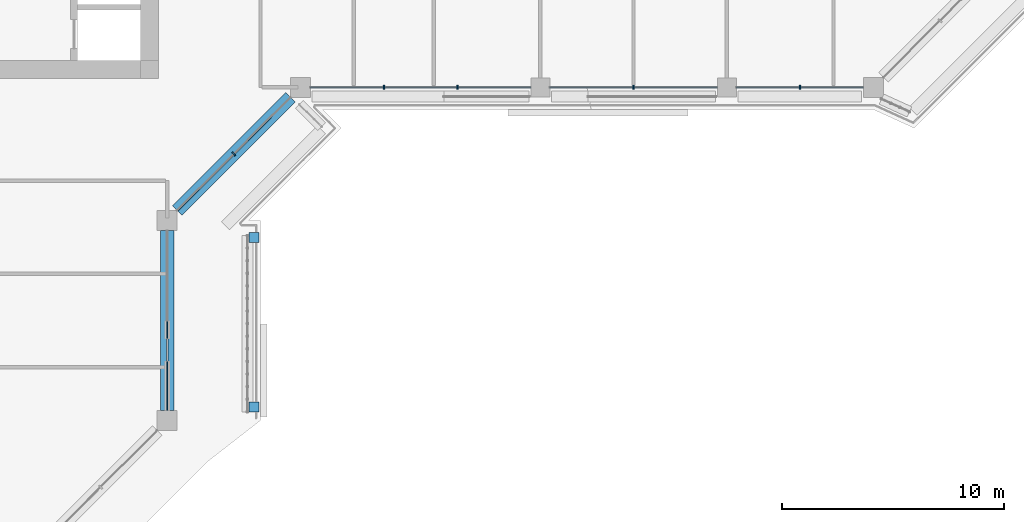
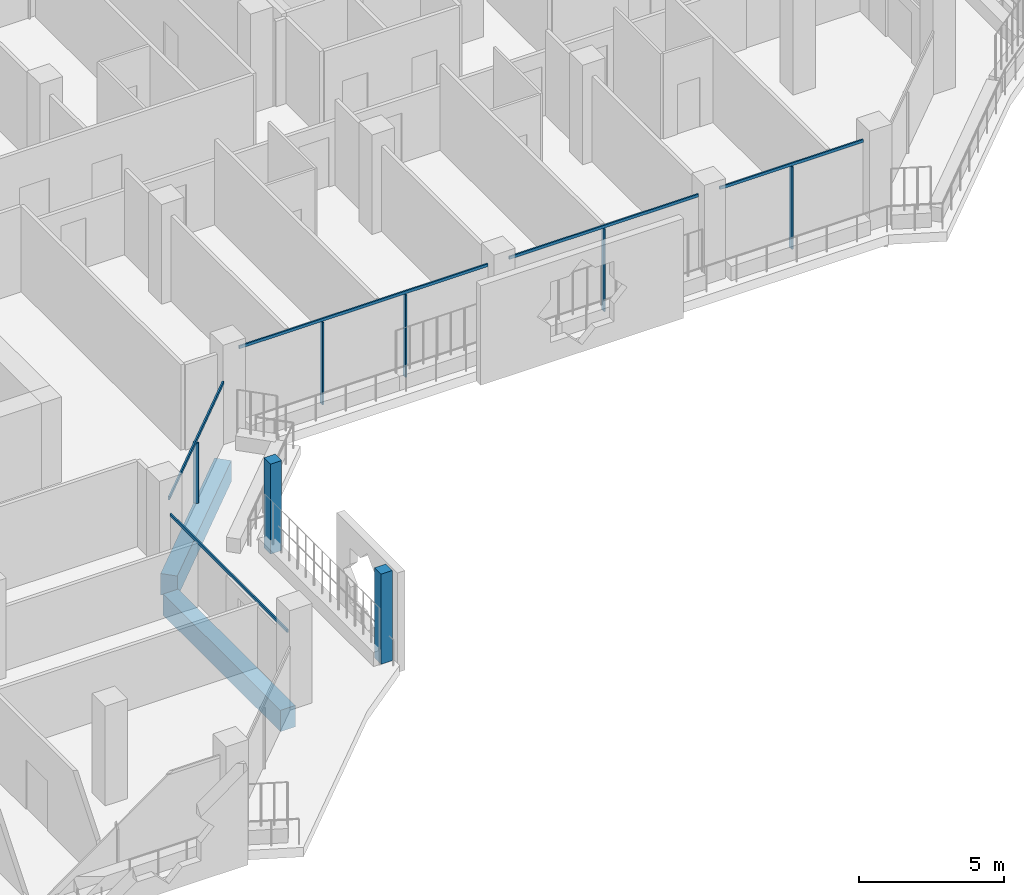
# One storey, part 4 of 21: 12 members, 2 beams, 4 elements without a shape of their own.
"""IFC4 building model written with IfcOpenShell, lengths in metres."""

from ifc_helpers import new_model, si_unit, direction, frame, origin, origin_2d, place, context, subcontext, project, spatial, rectangle, extrude, material, layer, layer_set, material_profile, profile_set, type_object, element, aggregate, save


model = new_model("IFC4")

# Units and contexts
model_context = context("Model", 3, precision=1e-05, world=origin(), true_north=direction((0.0, 1.0)))
body_context = subcontext(model_context, "Body", "Model", "MODEL_VIEW")
ifc_project = project(units=[si_unit("LENGTHUNIT", "METRE"), si_unit("AREAUNIT", "SQUARE_METRE"), si_unit("VOLUMEUNIT", "CUBIC_METRE"), si_unit("PLANEANGLEUNIT", "RADIAN"), si_unit("MASSUNIT", "GRAM", prefix="KILO")], contexts=[model_context])

# Site, building, storey
site_placement = place(None, origin())
site = spatial("IfcSite", under=ifc_project, at=site_placement, CompositionType="ELEMENT")
building_placement = place(site_placement, origin())
building = spatial("IfcBuilding", under=site, at=building_placement, Name="Kawkab Arch Medical Tower", CompositionType="ELEMENT")
storey_placement = place(building_placement, frame((0.0, 0.0, 243.199951171875)))
storey = spatial("IfcBuildingStorey", under=building, at=storey_placement, Name="L56", CompositionType="ELEMENT", Elevation=243.199951171875)

# Curtain wall, members
ifc_material_1 = material(Name="Bronze anodised aluminium curtain wall frame", Category="aluminium")
ifc_layer_1 = layer(ifc_material_1, 0.159912109375)
ifc_layer_set_1 = layer_set([ifc_layer_1], Name="Bronze anodised aluminium curtain wall frame")
curtain_wall_type_1 = type_object("IfcCurtainWallType", Name="CW1 ward curtain wall", PredefinedType="NOTDEFINED", material=ifc_layer_set_1)
placement = place(storey_placement, origin())
curtain_wall_1 = element("IfcCurtainWall", 1, at=placement, inside=storey, type_object=curtain_wall_type_1, Name="CW1 Ward curtain wall R07", PredefinedType="NOTDEFINED")
ifc_material_2 = material(Name="Bronze anodised aluminium curtain wall frame", Category="aluminium")
ifc_material_profile_1 = material_profile(ifc_material_2, rectangle(XDim=0.179931640625, YDim=0.06005859375, at=origin_2d()), Name="AL 60x180")
ifc_profile_set_1 = profile_set([ifc_material_profile_1], Name="Bronze anodised aluminium curtain wall frame")
member_type_1 = type_object("IfcMemberType", Name="CW1 mullion 60 x 180", PredefinedType="MULLION", material=ifc_profile_set_1)
member_1_placement = place(storey_placement, frame((34.958251953125, -25.199951171875, 0.0), z_axis=(0.0, 0.0, 1.0), x_axis=(0.0, 1.0, 0.0)))
member_1 = element("IfcMember", 2, at=member_1_placement, type_object=member_type_1, Name="CW1 mullion 1.1", PredefinedType="MULLION", context=body_context, shape_type="SweptSolid", body=[
    extrude(rectangle(XDim=0.179931640625, YDim=0.06005859375, at=origin_2d()), origin(), (0.0, 0.0, 1.0), 3.47998046875),
])
member_2_placement = place(storey_placement, frame((38.2666015625, -25.199951171875, 0.0), z_axis=(0.0, 0.0, 1.0), x_axis=(0.0, 1.0, 0.0)))
member_2 = element("IfcMember", 3, at=member_2_placement, type_object=member_type_1, Name="CW1 mullion 1.2", PredefinedType="MULLION", context=body_context, shape_type="SweptSolid", body=[
    extrude(rectangle(XDim=0.179931640625, YDim=0.06005859375, at=origin_2d()), origin(), (0.0, 0.0, 1.0), 3.47998046875),
])
member_3_placement = place(storey_placement, frame((46.199951171875, -25.199951171875, 0.0), z_axis=(0.0, 0.0, 1.0), x_axis=(0.0, 1.0, 0.0)))
member_3 = element("IfcMember", 4, at=member_3_placement, type_object=member_type_1, Name="CW1 mullion 2.1", PredefinedType="MULLION", context=body_context, shape_type="SweptSolid", body=[
    extrude(rectangle(XDim=0.179931640625, YDim=0.06005859375, at=origin_2d()), origin(), (0.0, 0.0, 1.0), 3.47998046875),
])
member_4_placement = place(storey_placement, frame((53.6875, -25.199951171875, 0.0), z_axis=(0.0, 0.0, 1.0), x_axis=(0.0, 1.0, 0.0)))
member_4 = element("IfcMember", 5, at=member_4_placement, type_object=member_type_1, Name="CW1 mullion 3.1", PredefinedType="MULLION", context=body_context, shape_type="SweptSolid", body=[
    extrude(rectangle(XDim=0.179931640625, YDim=0.06005859375, at=origin_2d()), origin(), (0.0, 0.0, 1.0), 3.47998046875),
])

# Curtain wall, member
curtain_wall_2 = element("IfcCurtainWall", 6, at=placement, inside=storey, type_object=curtain_wall_type_1, Name="CW1 Ward curtain wall R05", PredefinedType="NOTDEFINED")
ifc_material_3 = material(Name="Bronze anodised aluminium curtain wall frame", Category="aluminium")
ifc_material_profile_2 = material_profile(ifc_material_3, rectangle(XDim=0.06005859375, YDim=0.1201171875, at=origin_2d()), Name="AL 60x120")
ifc_profile_set_2 = profile_set([ifc_material_profile_2], Name="Bronze anodised aluminium curtain wall frame")
member_type_2 = type_object("IfcMemberType", Name="CW1 transom 120 x 60", PredefinedType="USERDEFINED", material=ifc_profile_set_2)
member_5_placement = place(storey_placement, frame((25.199951171875, -39.75, 2.64013671875), z_axis=(0.0, 1.0, 0.0), x_axis=(-1.0, 0.0, 0.0)))
member_5 = element("IfcMember", 7, at=member_5_placement, type_object=member_type_2, Name="CW1 transom 1", ObjectType="TRANSOM", PredefinedType="USERDEFINED", context=body_context, shape_type="SweptSolid", body=[
    extrude(rectangle(XDim=0.06005859375, YDim=0.1201171875, at=origin_2d()), origin(), (0.0, 0.0, 1.0), 8.10009765625),
])
aggregate(curtain_wall_2, [member_5])

# Member
member_6_placement = place(storey_placement, frame((31.64990234375, -25.199951171875, 3.5400390625), z_axis=(1.0, 0.0, 0.0), x_axis=(0.0, 1.0, 0.0)))
member_6 = element("IfcMember", 8, at=member_6_placement, type_object=member_type_2, Name="CW1 transom 1", ObjectType="TRANSOM", PredefinedType="USERDEFINED", context=body_context, shape_type="SweptSolid", body=[
    extrude(rectangle(XDim=0.06005859375, YDim=0.1201171875, at=origin_2d()), origin(), (0.0, 0.0, 1.0), 9.925048828125),
])

member_7_placement = place(storey_placement, frame((42.425048828125, -25.199951171875, 3.5400390625), z_axis=(1.0, 0.0, 0.0), x_axis=(0.0, 1.0, 0.0)))
member_7 = element("IfcMember", 9, at=member_7_placement, type_object=member_type_2, Name="CW1 transom 2", ObjectType="TRANSOM", PredefinedType="USERDEFINED", context=body_context, shape_type="SweptSolid", body=[
    extrude(rectangle(XDim=0.06005859375, YDim=0.1201171875, at=origin_2d()), origin(), (0.0, 0.0, 1.0), 7.550048828125),
])

member_8_placement = place(storey_placement, frame((50.824951171875, -25.199951171875, 3.5400390625), z_axis=(1.0, 0.0, 0.0), x_axis=(0.0, 1.0, 0.0)))
member_8 = element("IfcMember", 10, at=member_8_placement, type_object=member_type_2, Name="CW1 transom 3", ObjectType="TRANSOM", PredefinedType="USERDEFINED", context=body_context, shape_type="SweptSolid", body=[
    extrude(rectangle(XDim=0.06005859375, YDim=0.1201171875, at=origin_2d()), origin(), (0.0, 0.0, 1.0), 5.72509765625),
])

aggregate(curtain_wall_1, [member_6, member_1, member_2, member_7, member_3, member_8, member_4])

# Curtain wall, members
ifc_material_4 = material(Name="Bronze anodised aluminium curtain wall frame", Category="aluminium")
ifc_layer_2 = layer(ifc_material_4, 0.159912109375)
ifc_layer_set_2 = layer_set([ifc_layer_2], Name="Bronze anodised aluminium curtain wall frame")
curtain_wall_type_2 = type_object("IfcCurtainWallType", Name="CW2 chamfer curtain wall", PredefinedType="NOTDEFINED", material=ifc_layer_set_2)
curtain_wall_3 = element("IfcCurtainWall", 11, at=placement, inside=storey, type_object=curtain_wall_type_2, Name="CW2 Chamfer curtain wall R06", PredefinedType="NOTDEFINED")
ifc_material_5 = material(Name="Bronze anodised aluminium curtain wall frame", Category="aluminium")
ifc_material_profile_3 = material_profile(ifc_material_5, rectangle(XDim=0.199951171875, YDim=0.06005859375, at=origin_2d()), Name="AL 60x200")
ifc_profile_set_3 = profile_set([ifc_material_profile_3], Name="Bronze anodised aluminium curtain wall frame")
member_type_3 = type_object("IfcMemberType", Name="CW2 mullion 60 x 200", PredefinedType="MULLION", material=ifc_profile_set_3)
member_9_placement = place(storey_placement, frame((28.199951171875, -28.199951171875, 0.0), z_axis=(0.0, 0.0, 1.0), x_axis=(-0.707106781187, 0.707106781187, 0.0)))
member_9 = element("IfcMember", 12, at=member_9_placement, type_object=member_type_3, Name="CW2 mullion 1.1", PredefinedType="MULLION", context=body_context, shape_type="SweptSolid", body=[
    extrude(rectangle(XDim=0.199951171875, YDim=0.06005859375, at=origin_2d()), origin(), (0.0, 0.0, 1.0), 2.56005859375),
])
ifc_material_6 = material(Name="Bronze anodised aluminium curtain wall frame", Category="aluminium")
ifc_material_profile_4 = material_profile(ifc_material_6, rectangle(XDim=0.06005859375, YDim=0.139892578125, at=origin_2d()), Name="AL 60x140")
ifc_profile_set_4 = profile_set([ifc_material_profile_4], Name="Bronze anodised aluminium curtain wall frame")
member_type_4 = type_object("IfcMemberType", Name="CW2 transom 140 x 60", PredefinedType="USERDEFINED", material=ifc_profile_set_4)
member_10_placement = place(storey_placement, frame((25.64990234375, -30.75, 2.630126953125), z_axis=(0.707106781187, 0.707106781187, 0.0), x_axis=(-0.707106781187, 0.707106781187, 0.0)))
member_10 = element("IfcMember", 13, at=member_10_placement, type_object=member_type_4, Name="CW2 transom 1", ObjectType="TRANSOM", PredefinedType="USERDEFINED", context=body_context, shape_type="SweptSolid", body=[
    extrude(rectangle(XDim=0.06005859375, YDim=0.139892578125, at=origin_2d()), origin(), (0.0, 0.0, 1.0), 7.212646484375),
])
aggregate(curtain_wall_3, [member_10, member_9])

ifc_material_7 = material(Name="Bronze anodised aluminium climber frame, planted", Category="aluminium")
ifc_layer_3 = layer(ifc_material_7, 0.449951171875)
ifc_layer_set_3 = layer_set([ifc_layer_3], Name="Bronze anodised aluminium climber frame, planted")
curtain_wall_type_3 = type_object("IfcCurtainWallType", Name="Planted climber frame", PredefinedType="NOTDEFINED", material=ifc_layer_set_3)
curtain_wall_4 = element("IfcCurtainWall", 14, at=placement, inside=storey, type_object=curtain_wall_type_3, Name="Planted climber frame L56", PredefinedType="NOTDEFINED")
ifc_material_8 = material(Name="Bronze anodised aluminium climber frame, planted", Category="aluminium")
ifc_material_profile_5 = material_profile(ifc_material_8, rectangle(XDim=0.449951171875, YDim=0.449951171875, at=origin_2d()), Name="Post 450x450")
ifc_profile_set_5 = profile_set([ifc_material_profile_5], Name="Bronze anodised aluminium climber frame, planted")
member_type_5 = type_object("IfcMemberType", Name="Planted climber post 450 x 450", PredefinedType="MULLION", material=ifc_profile_set_5)
member_11_placement = place(storey_placement, frame((29.10009765625, -31.949951171875, 0.0), z_axis=(0.0, 0.0, 1.0), x_axis=(1.0, 0.0, 0.0)))
member_11 = element("IfcMember", 15, at=member_11_placement, type_object=member_type_5, Name="Planted climber post L56.LOG-01-01.3", PredefinedType="MULLION", context=body_context, shape_type="SweptSolid", body=[
    extrude(rectangle(XDim=0.449951171875, YDim=0.449951171875, at=origin_2d()), origin(), (0.0, 0.0, 1.0), 3.800048828125),
])
member_12_placement = place(storey_placement, frame((29.10009765625, -39.60302734375, 0.0), z_axis=(0.0, 0.0, 1.0), x_axis=(1.0, 0.0, 0.0)))
member_12 = element("IfcMember", 16, at=member_12_placement, type_object=member_type_5, Name="Planted climber post L56.LOG-01-01.4", PredefinedType="MULLION", context=body_context, shape_type="SweptSolid", body=[
    extrude(rectangle(XDim=0.449951171875, YDim=0.449951171875, at=origin_2d()), origin(), (0.0, 0.0, 1.0), 3.800048828125),
])
aggregate(curtain_wall_4, [member_11, member_12])

# Beams
ifc_material_9 = material(Name="Concrete C45/55", Category="concrete")
ifc_material_profile_6 = material_profile(ifc_material_9, rectangle(XDim=0.60009765625, YDim=0.89990234375, at=origin_2d()), Name="RC 600x900")
ifc_profile_set_6 = profile_set([ifc_material_profile_6], Name="Concrete C45/55")
beam_type = type_object("IfcBeamType", Name="RC 600x900 beam C45/55", PredefinedType="BEAM", material=ifc_profile_set_6)
beam_1_placement = place(storey_placement, frame((30.75, -25.64990234375, -1.050048828125), z_axis=(-0.707106781187, -0.707106781187, 0.0), x_axis=(0.707106781187, -0.707106781187, 0.0)))
element("IfcBeam", 17, at=beam_1_placement, inside=storey, type_object=beam_type, Name="Overhang edge beam L56-04", PredefinedType="BEAM", context=body_context, shape_type="SweptSolid", body=[
    extrude(rectangle(XDim=0.60009765625, YDim=0.89990234375, at=origin_2d()), origin(), (0.0, 0.0, 1.0), 7.212646484375),
])
beam_2_placement = place(storey_placement, frame((25.199951171875, -31.64990234375, -1.050048828125), z_axis=(0.0, -1.0, 0.0), x_axis=(1.0, 0.0, 0.0)))
element("IfcBeam", 18, at=beam_2_placement, inside=storey, type_object=beam_type, Name="Overhang edge beam L56-05", PredefinedType="BEAM", context=body_context, shape_type="SweptSolid", body=[
    extrude(rectangle(XDim=0.60009765625, YDim=0.89990234375, at=origin_2d()), origin(), (0.0, 0.0, 1.0), 8.10009765625),
])

save(model, "model.ifc")
